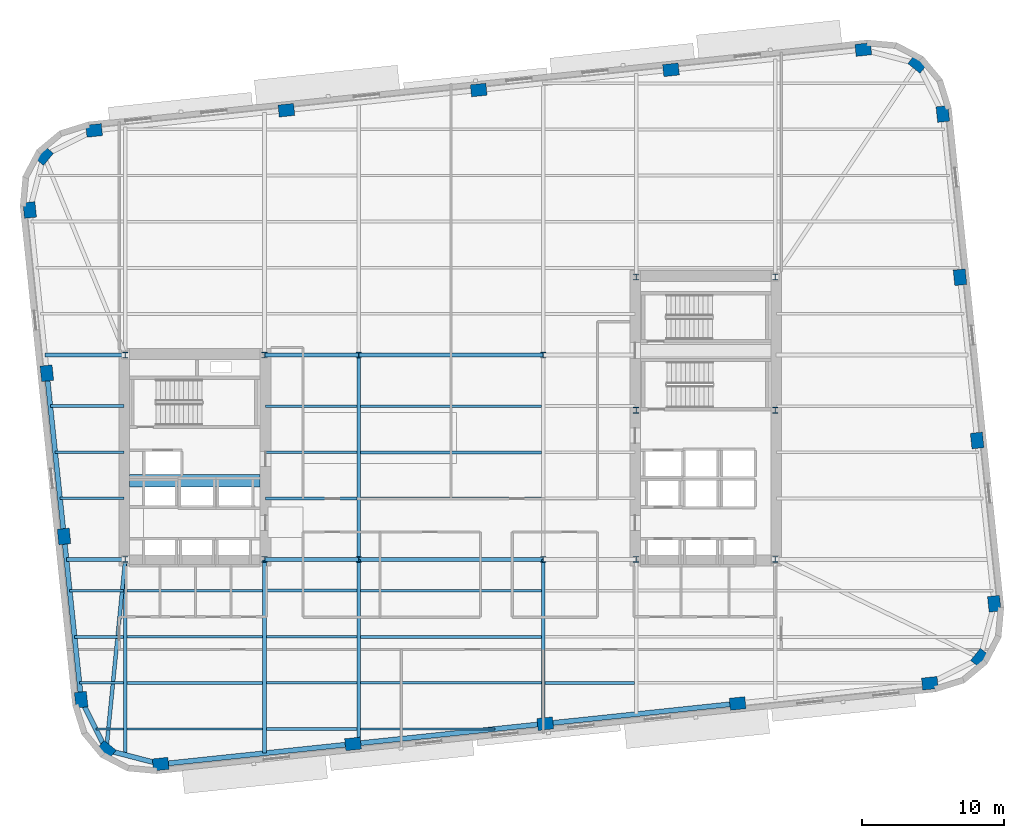
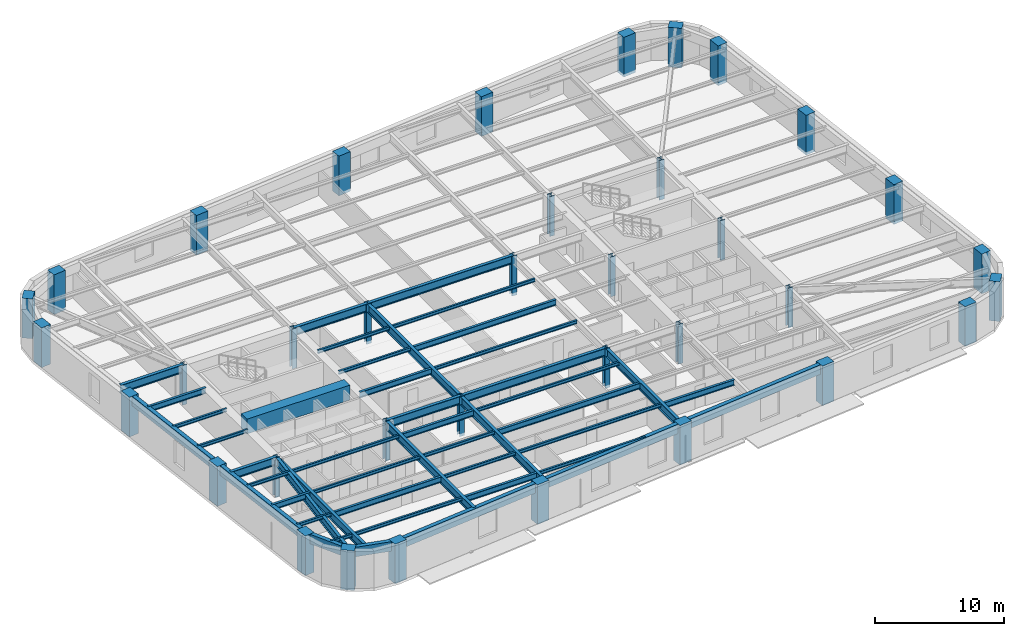
# One storey, part 1 of 12: 46 beams, 36 columns.
"""IFC4 building model written with IfcOpenShell, lengths in metres."""

from ifc_helpers import new_model, si_unit, direction, frame, origin, origin_2d, place, context, subcontext, project, spatial, rectangle, hollow_rectangle, i_section, extrude, material, material_profile, profile_set, type_object, element, save


model = new_model("IFC4")

# Units and contexts
model_context = context("Model", 3, precision=1e-05, world=origin(), true_north=direction((0.0, 1.0)))
body_context = subcontext(model_context, "Body", "Model", "MODEL_VIEW")
ifc_project = project(units=[si_unit("LENGTHUNIT", "METRE"), si_unit("AREAUNIT", "SQUARE_METRE"), si_unit("VOLUMEUNIT", "CUBIC_METRE"), si_unit("PLANEANGLEUNIT", "RADIAN"), si_unit("MASSUNIT", "GRAM", prefix="KILO")], contexts=[model_context])

# Site, building, storey
site_placement = place(None, origin())
site = spatial("IfcSite", under=ifc_project, at=site_placement, CompositionType="ELEMENT")
building_placement = place(site_placement, origin())
building = spatial("IfcBuilding", under=site, at=building_placement, Name="Kolvaren Arena Tower", CompositionType="ELEMENT")
storey_placement = place(building_placement, frame((0.0, 0.0, 110.949951171875)))
storey = spatial("IfcBuildingStorey", under=building, at=storey_placement, Name="L25", CompositionType="ELEMENT", Elevation=110.949951171875)

# Columns
ifc_material_1 = material(Name="Precast concrete C70/85", Category="concrete")
ifc_material_profile_1 = material_profile(ifc_material_1, rectangle(XDim=1.10009765625, YDim=0.85009765625, at=origin_2d()), Name="RC-1100x850")
ifc_profile_set_1 = profile_set([ifc_material_profile_1], Name="Precast concrete C70/85")
column_type_1 = type_object("IfcColumnType", Name="EXCOL-Z2", PredefinedType="COLUMN", material=ifc_profile_set_1)
for number, where, z_axis, x_axis, name in (
    (1, (17.0458984375, 5.024658203125, -0.27001953125), (0.0, 0.0, 1.0), (0.994521895368, 0.104528463268, 0.0), "Exoskeleton Perimeter Column 01 (L25)"),
    (2, (30.59619140625, 6.44873046875, -0.27001953125), (0.0, 0.0, 1.0), (0.994521895368, 0.104528463268, 0.0), "Exoskeleton Perimeter Column 02 (L25)"),
    (3, (44.146728515625, 7.873046875, -0.27001953125), (0.0, 0.0, 1.0), (0.994521895368, 0.104528463268, 0.0), "Exoskeleton Perimeter Column 03 (L25)"),
    (4, (57.697021484375, 9.297119140625, -0.27001953125), (0.0, 0.0, 1.0), (0.994521895368, 0.104528463268, 0.0), "Exoskeleton Perimeter Column 04 (L25)"),
    (5, (71.247314453125, 10.721435546875, -0.27001953125), (0.0, 0.0, 1.0), (0.994521895368, 0.104528463268, 0.0), "Exoskeleton Perimeter Column 05 (L25)"),
    (6, (74.790283203125, 12.49267578125, -0.27001953125), (0.0, 0.0, 1.0), (0.62932039105, 0.777145961457, 0.0), "Exoskeleton Perimeter Column 06 (L25)"),
    (7, (75.786376953125, 16.326416015625, -0.27001953125), (0.0, 0.0, 1.0), (-0.104528463268, 0.994521895368, 0.0), "Exoskeleton Perimeter Column 07 (L25)"),
    (8, (74.577392578125, 27.829833984375, -0.27001953125), (0.0, 0.0, 1.0), (-0.104528463268, 0.994521895368, 0.0), "Exoskeleton Perimeter Column 08 (L25)"),
    (9, (73.368408203125, 39.3330078125, -0.27001953125), (0.0, 0.0, 1.0), (-0.104528463268, 0.994521895368, 0.0), "Exoskeleton Perimeter Column 09 (L25)"),
    (10, (72.1591796875, 50.83642578125, -0.27001953125), (0.0, 0.0, 1.0), (-0.104528463268, 0.994521895368, 0.0), "Exoskeleton Perimeter Column 10 (L25)"),
    (11, (70.387939453125, 54.37939453125, -0.27001953125), (0.0, 0.0, 1.0), (-0.777145961457, 0.62932039105, 0.0), "Exoskeleton Perimeter Column 11 (L25)"),
    (12, (66.55419921875, 55.37548828125, -0.27001953125), (0.0, 0.0, 1.0), (0.994521895368, 0.104528463268, 0.0), "Exoskeleton Perimeter Column 12 (L25)"),
    (13, (53.003662109375, 53.951171875, -0.27001953125), (0.0, 0.0, 1.0), (0.994521895368, 0.104528463268, 0.0), "Exoskeleton Perimeter Column 13 (L25)"),
    (14, (39.453369140625, 52.527099609375, -0.27001953125), (0.0, 0.0, 1.0), (0.994521895368, 0.104528463268, 0.0), "Exoskeleton Perimeter Column 14 (L25)"),
    (15, (25.903076171875, 51.102783203125, -0.27001953125), (0.0, 0.0, 1.0), (0.994521895368, 0.104528463268, 0.0), "Exoskeleton Perimeter Column 15 (L25)"),
    (16, (12.3525390625, 49.6787109375, -0.27001953125), (0.0, 0.0, 1.0), (0.994521895368, 0.104528463268, 0.0), "Exoskeleton Perimeter Column 16 (L25)"),
    (17, (8.8095703125, 47.9072265625, -0.27001953125), (0.0, 0.0, 1.0), (0.62932039105, 0.777145961457, 0.0), "Exoskeleton Perimeter Column 17 (L25)"),
    (18, (7.813720703125, 44.073486328125, -0.27001953125), (0.0, 0.0, 1.0), (-0.104528463268, 0.994521895368, 0.0), "Exoskeleton Perimeter Column 18 (L25)"),
    (19, (9.022705078125, 32.5703125, -0.27001953125), (0.0, 0.0, 1.0), (-0.104528463268, 0.994521895368, 0.0), "Exoskeleton Perimeter Column 19 (L25)"),
    (20, (10.231689453125, 21.06689453125, -0.27001953125), (0.0, 0.0, 1.0), (-0.104528463268, 0.994521895368, 0.0), "Exoskeleton Perimeter Column 20 (L25)"),
    (21, (11.44091796875, 9.5634765625, -0.27001953125), (0.0, 0.0, 1.0), (-0.104528463268, 0.994521895368, 0.0), "Exoskeleton Perimeter Column 21 (L25)"),
    (22, (13.212158203125, 6.0205078125, -0.27001953125), (0.0, 0.0, 1.0), (-0.777145961457, 0.62932039105, 0.0), "Exoskeleton Perimeter Column 22 (L25)"),
):
    element("IfcColumn", number, at=place(storey_placement, frame(where, z_axis=z_axis, x_axis=x_axis)), inside=storey, type_object=column_type_1, Name=name, PredefinedType="COLUMN", context=body_context, shape_type="SweptSolid", body=[
        extrude(rectangle(XDim=1.10009765625, YDim=0.85009765625, at=origin_2d()), origin(), (0.0, 0.0, 1.0), 3.75),
    ])
ifc_material_2 = material(Name="Steel ASTM A913 Grade 65", Category="steel")
ifc_material_profile_2 = material_profile(ifc_material_2, i_section(OverallWidth=0.416015625, OverallDepth=0.446044921875, WebThickness=0.0390625, FlangeThickness=0.062744140625, FilletRadius=0.02001953125, at=origin_2d()), Name="W360x509")
ifc_profile_set_2 = profile_set([ifc_material_profile_2], Name="Steel ASTM A913 Grade 65")
column_type_2 = type_object("IfcColumnType", Name="SCOL-Z2", PredefinedType="COLUMN", material=ifc_profile_set_2)
for number, where, z_axis, x_axis, name in (
    (23, (14.550048828125, 19.449951171875, -0.27001953125), (0.0, 0.0, 1.0), (1.0, 0.0, 0.0), "Core Boundary Column WC-SW (L25)"),
    (24, (24.35009765625, 19.449951171875, -0.27001953125), (0.0, 0.0, 1.0), (1.0, 0.0, 0.0), "Core Boundary Column WC-SE (L25)"),
    (25, (14.550048828125, 33.85009765625, -0.27001953125), (0.0, 0.0, 1.0), (1.0, 0.0, 0.0), "Core Boundary Column WC-NW (L25)"),
    (26, (24.35009765625, 33.85009765625, -0.27001953125), (0.0, 0.0, 1.0), (1.0, 0.0, 0.0), "Core Boundary Column WC-NE (L25)"),
    (27, (50.550048828125, 19.449951171875, -0.27001953125), (0.0, 0.0, 1.0), (1.0, 0.0, 0.0), "Core Boundary Column EC-SW (L25)"),
    (28, (60.35009765625, 19.449951171875, -0.27001953125), (0.0, 0.0, 1.0), (1.0, 0.0, 0.0), "Core Boundary Column EC-SE (L25)"),
    (29, (50.550048828125, 29.949951171875, -0.27001953125), (0.0, 0.0, 1.0), (1.0, 0.0, 0.0), "Core Boundary Column EC-MW (L25)"),
    (30, (60.35009765625, 29.949951171875, -0.27001953125), (0.0, 0.0, 1.0), (1.0, 0.0, 0.0), "Core Boundary Column EC-ME (L25)"),
    (31, (50.550048828125, 39.35009765625, -0.27001953125), (0.0, 0.0, 1.0), (1.0, 0.0, 0.0), "Core Boundary Column EC-NW (L25)"),
    (32, (60.35009765625, 39.35009765625, -0.27001953125), (0.0, 0.0, 1.0), (1.0, 0.0, 0.0), "Core Boundary Column EC-NE (L25)"),
    (33, (31.0, 19.449951171875, -0.27001953125), (0.0, 0.0, 1.0), (1.0, 0.0, 0.0), "Interior Gravity Column TC-SW (L25)"),
    (34, (44.0, 19.449951171875, -0.27001953125), (0.0, 0.0, 1.0), (1.0, 0.0, 0.0), "Interior Gravity Column TC-SE (L25)"),
    (35, (31.0, 33.85009765625, -0.27001953125), (0.0, 0.0, 1.0), (1.0, 0.0, 0.0), "Interior Gravity Column TC-NW (L25)"),
    (36, (44.0, 33.85009765625, -0.27001953125), (0.0, 0.0, 1.0), (1.0, 0.0, 0.0), "Interior Gravity Column TC-NE (L25)"),
):
    element("IfcColumn", number, at=place(storey_placement, frame(where, z_axis=z_axis, x_axis=x_axis)), inside=storey, type_object=column_type_2, Name=name, PredefinedType="COLUMN", context=body_context, shape_type="SweptSolid", body=[
        extrude(i_section(OverallWidth=0.416015625, OverallDepth=0.446044921875, WebThickness=0.0390625, FlangeThickness=0.062744140625, FilletRadius=0.02001953125, at=origin_2d()), origin(), (0.0, 0.0, 1.0), 3.75),
    ])

# Beams
ifc_material_3 = material(Name="Steel CSA G40.21 350W", Category="steel")
ifc_material_profile_3 = material_profile(ifc_material_3, i_section(OverallWidth=0.2119140625, OverallDepth=0.54296875, WebThickness=0.01318359375, FlangeThickness=0.0244140625, FilletRadius=0.013916015625, at=origin_2d()), Name="W530x150")
ifc_profile_set_3 = profile_set([ifc_material_profile_3], Name="Steel CSA G40.21 350W")
beam_type_1 = type_object("IfcBeamType", Name="BEAM-F1", PredefinedType="BEAM", material=ifc_profile_set_3)
beam_1_placement = place(storey_placement, frame((24.485107421875, 7.5, 3.20849609375), z_axis=(1.0, 0.0, 0.0), x_axis=(0.0, 1.0, 0.0)))
element("IfcBeam", 37, at=beam_1_placement, inside=storey, type_object=beam_type_1, Name="Composite Floor Beam (L25)", PredefinedType="BEAM", context=body_context, shape_type="SweptSolid", body=[
    extrude(i_section(OverallWidth=0.2119140625, OverallDepth=0.54296875, WebThickness=0.01318359375, FlangeThickness=0.0244140625, FilletRadius=0.013916015625, at=origin_2d()), origin(), (0.0, 0.0, 1.0), 6.3798828125),
])
beam_2_placement = place(storey_placement, frame((14.68505859375, 10.75, 3.20849609375), z_axis=(1.0, 0.0, 0.0), x_axis=(0.0, 1.0, 0.0)))
element("IfcBeam", 38, at=beam_2_placement, inside=storey, type_object=beam_type_1, Name="Composite Floor Beam (L25)", PredefinedType="BEAM", context=body_context, shape_type="SweptSolid", body=[
    extrude(i_section(OverallWidth=0.2119140625, OverallDepth=0.54296875, WebThickness=0.01318359375, FlangeThickness=0.0244140625, FilletRadius=0.013916015625, at=origin_2d()), origin(), (0.0, 0.0, 1.0), 9.530029296875),
])
beam_3_placement = place(storey_placement, frame((44.135009765625, 10.75, 3.20849609375), z_axis=(1.0, 0.0, 0.0), x_axis=(0.0, 1.0, 0.0)))
element("IfcBeam", 39, at=beam_3_placement, inside=storey, type_object=beam_type_1, Name="Composite Floor Beam (L25)", PredefinedType="BEAM", context=body_context, shape_type="SweptSolid", body=[
    extrude(i_section(OverallWidth=0.2119140625, OverallDepth=0.54296875, WebThickness=0.01318359375, FlangeThickness=0.0244140625, FilletRadius=0.013916015625, at=origin_2d()), origin(), (0.0, 0.0, 1.0), 6.280029296875),
])
beam_4_placement = place(storey_placement, frame((10.974609375, 14.0, 3.20849609375), z_axis=(1.0, 0.0, 0.0), x_axis=(0.0, 1.0, 0.0)))
element("IfcBeam", 40, at=beam_4_placement, inside=storey, type_object=beam_type_1, Name="Composite Floor Beam (L25)", PredefinedType="BEAM", context=body_context, shape_type="SweptSolid", body=[
    extrude(i_section(OverallWidth=0.2119140625, OverallDepth=0.54296875, WebThickness=0.01318359375, FlangeThickness=0.0244140625, FilletRadius=0.013916015625, at=origin_2d()), origin(), (0.0, 0.0, 1.0), 3.4404296875),
])
beam_5_placement = place(storey_placement, frame((31.135009765625, 14.0, 3.20849609375), z_axis=(1.0, 0.0, 0.0), x_axis=(0.0, 1.0, 0.0)))
element("IfcBeam", 41, at=beam_5_placement, inside=storey, type_object=beam_type_1, Name="Composite Floor Beam (L25)", PredefinedType="BEAM", context=body_context, shape_type="SweptSolid", body=[
    extrude(i_section(OverallWidth=0.2119140625, OverallDepth=0.54296875, WebThickness=0.01318359375, FlangeThickness=0.0244140625, FilletRadius=0.013916015625, at=origin_2d()), origin(), (0.0, 0.0, 1.0), 12.72998046875),
])
beam_6_placement = place(storey_placement, frame((24.485107421875, 17.25, 3.20849609375), z_axis=(1.0, 0.0, 0.0), x_axis=(0.0, 1.0, 0.0)))
element("IfcBeam", 42, at=beam_6_placement, inside=storey, type_object=beam_type_1, Name="Composite Floor Beam (L25)", PredefinedType="BEAM", context=body_context, shape_type="SweptSolid", body=[
    extrude(i_section(OverallWidth=0.2119140625, OverallDepth=0.54296875, WebThickness=0.01318359375, FlangeThickness=0.0244140625, FilletRadius=0.013916015625, at=origin_2d()), origin(), (0.0, 0.0, 1.0), 6.3798828125),
])
beam_7_placement = place(storey_placement, frame((24.445068359375, 23.75, 3.20849609375), z_axis=(1.0, 0.0, 0.0), x_axis=(0.0, 1.0, 0.0)))
element("IfcBeam", 43, at=beam_7_placement, inside=storey, type_object=beam_type_1, Name="Composite Floor Beam (L25)", PredefinedType="BEAM", context=body_context, shape_type="SweptSolid", body=[
    extrude(i_section(OverallWidth=0.2119140625, OverallDepth=0.54296875, WebThickness=0.01318359375, FlangeThickness=0.0244140625, FilletRadius=0.013916015625, at=origin_2d()), origin(), (0.0, 0.0, 1.0), 6.419921875),
])
beam_8_placement = place(storey_placement, frame((31.135009765625, 27.0, 3.20849609375), z_axis=(1.0, 0.0, 0.0), x_axis=(0.0, 1.0, 0.0)))
element("IfcBeam", 44, at=beam_8_placement, inside=storey, type_object=beam_type_1, Name="Composite Floor Beam (L25)", PredefinedType="BEAM", context=body_context, shape_type="SweptSolid", body=[
    extrude(i_section(OverallWidth=0.2119140625, OverallDepth=0.54296875, WebThickness=0.01318359375, FlangeThickness=0.0244140625, FilletRadius=0.013916015625, at=origin_2d()), origin(), (0.0, 0.0, 1.0), 12.72998046875),
])
beam_9_placement = place(storey_placement, frame((9.2666015625, 30.25, 3.20849609375), z_axis=(1.0, 0.0, 0.0), x_axis=(0.0, 1.0, 0.0)))
element("IfcBeam", 45, at=beam_9_placement, inside=storey, type_object=beam_type_1, Name="Composite Floor Beam (L25)", PredefinedType="BEAM", context=body_context, shape_type="SweptSolid", body=[
    extrude(i_section(OverallWidth=0.2119140625, OverallDepth=0.54296875, WebThickness=0.01318359375, FlangeThickness=0.0244140625, FilletRadius=0.013916015625, at=origin_2d()), origin(), (0.0, 0.0, 1.0), 5.1884765625),
])
ifc_material_4 = material(Name="Concrete 75 MPa", Category="concrete")
ifc_material_profile_4 = material_profile(ifc_material_4, rectangle(XDim=0.89990234375, YDim=1.39990234375, at=origin_2d()), Name="RC-900x1400")
ifc_profile_set_4 = profile_set([ifc_material_profile_4], Name="Concrete 75 MPa")
beam_type_2 = type_object("IfcBeamType", Name="CB-CORE-1", PredefinedType="BEAM", material=ifc_profile_set_4)
beam_10_placement = place(storey_placement, frame((14.85009765625, 25.0, 3.050048828125), z_axis=(1.0, 0.0, 0.0), x_axis=(0.0, 1.0, 0.0)))
element("IfcBeam", 46, at=beam_10_placement, inside=storey, type_object=beam_type_2, Name="West Core Coupling Beam (L25)", PredefinedType="BEAM", context=body_context, shape_type="SweptSolid", body=[
    extrude(rectangle(XDim=0.89990234375, YDim=1.39990234375, at=origin_2d()), origin(), (0.0, 0.0, 1.0), 9.199951171875),
])
ifc_material_profile_5 = material_profile(ifc_material_3, i_section(OverallWidth=0.27001953125, OverallDepth=0.77294921875, WebThickness=0.019287109375, FlangeThickness=0.033447265625, FilletRadius=0.01806640625, at=origin_2d()), Name="W760x257")
ifc_profile_set_5 = profile_set([ifc_material_profile_5], Name="Steel CSA G40.21 350W")
beam_type_3 = type_object("IfcBeamType", Name="GIRD-T1", PredefinedType="BEAM", material=ifc_profile_set_5)
beam_11_placement = place(storey_placement, frame((13.212158203125, 6.0205078125, 3.093505859375), z_axis=(0.099132957575, 0.995074196592, 0.0), x_axis=(-0.995074196592, 0.099132957575, 0.0)))
element("IfcBeam", 47, at=beam_11_placement, inside=storey, type_object=beam_type_3, Name="Corner Diagonal Tie Girder (L25)", PredefinedType="BEAM", context=body_context, shape_type="SweptSolid", body=[
    extrude(i_section(OverallWidth=0.27001953125, OverallDepth=0.77294921875, WebThickness=0.019287109375, FlangeThickness=0.033447265625, FilletRadius=0.01806640625, at=origin_2d()), origin(), (0.0, 0.0, 1.0), 13.495849609375),
])
beam_12_placement = place(storey_placement, frame((10.401611328125, 19.449951171875, 3.093505859375), z_axis=(1.0, 0.0, 0.0), x_axis=(0.0, 1.0, 0.0)))
element("IfcBeam", 48, at=beam_12_placement, inside=storey, type_object=beam_type_3, Name="Primary Floor Girder (L25)", PredefinedType="BEAM", context=body_context, shape_type="SweptSolid", body=[
    extrude(i_section(OverallWidth=0.27001953125, OverallDepth=0.77294921875, WebThickness=0.019287109375, FlangeThickness=0.033447265625, FilletRadius=0.01806640625, at=origin_2d()), origin(), (0.0, 0.0, 1.0), 4.093505859375),
])
beam_13_placement = place(storey_placement, frame((24.405029296875, 19.449951171875, 3.093505859375), z_axis=(1.0, 0.0, 0.0), x_axis=(0.0, 1.0, 0.0)))
element("IfcBeam", 49, at=beam_13_placement, inside=storey, type_object=beam_type_3, Name="Primary Floor Girder (L25)", PredefinedType="BEAM", context=body_context, shape_type="SweptSolid", body=[
    extrude(i_section(OverallWidth=0.27001953125, OverallDepth=0.77294921875, WebThickness=0.019287109375, FlangeThickness=0.033447265625, FilletRadius=0.01806640625, at=origin_2d()), origin(), (0.0, 0.0, 1.0), 6.594970703125),
])
beam_14_placement = place(storey_placement, frame((31.0, 19.449951171875, 3.093505859375), z_axis=(1.0, 0.0, 0.0), x_axis=(0.0, 1.0, 0.0)))
element("IfcBeam", 50, at=beam_14_placement, inside=storey, type_object=beam_type_3, Name="Primary Floor Girder (L25)", PredefinedType="BEAM", context=body_context, shape_type="SweptSolid", body=[
    extrude(i_section(OverallWidth=0.27001953125, OverallDepth=0.77294921875, WebThickness=0.019287109375, FlangeThickness=0.033447265625, FilletRadius=0.01806640625, at=origin_2d()), origin(), (0.0, 0.0, 1.0), 13.0),
])
beam_15_placement = place(storey_placement, frame((8.88818359375, 33.85009765625, 3.093505859375), z_axis=(1.0, 0.0, 0.0), x_axis=(0.0, 1.0, 0.0)))
element("IfcBeam", 51, at=beam_15_placement, inside=storey, type_object=beam_type_3, Name="Primary Floor Girder (L25)", PredefinedType="BEAM", context=body_context, shape_type="SweptSolid", body=[
    extrude(i_section(OverallWidth=0.27001953125, OverallDepth=0.77294921875, WebThickness=0.019287109375, FlangeThickness=0.033447265625, FilletRadius=0.01806640625, at=origin_2d()), origin(), (0.0, 0.0, 1.0), 5.60693359375),
])
beam_16_placement = place(storey_placement, frame((24.405029296875, 33.85009765625, 3.093505859375), z_axis=(1.0, 0.0, 0.0), x_axis=(0.0, 1.0, 0.0)))
element("IfcBeam", 52, at=beam_16_placement, inside=storey, type_object=beam_type_3, Name="Primary Floor Girder (L25)", PredefinedType="BEAM", context=body_context, shape_type="SweptSolid", body=[
    extrude(i_section(OverallWidth=0.27001953125, OverallDepth=0.77294921875, WebThickness=0.019287109375, FlangeThickness=0.033447265625, FilletRadius=0.01806640625, at=origin_2d()), origin(), (0.0, 0.0, 1.0), 6.594970703125),
])
beam_17_placement = place(storey_placement, frame((31.0, 33.85009765625, 3.093505859375), z_axis=(1.0, 0.0, 0.0), x_axis=(0.0, 1.0, 0.0)))
element("IfcBeam", 53, at=beam_17_placement, inside=storey, type_object=beam_type_3, Name="Primary Floor Girder (L25)", PredefinedType="BEAM", context=body_context, shape_type="SweptSolid", body=[
    extrude(i_section(OverallWidth=0.27001953125, OverallDepth=0.77294921875, WebThickness=0.019287109375, FlangeThickness=0.033447265625, FilletRadius=0.01806640625, at=origin_2d()), origin(), (0.0, 0.0, 1.0), 13.0),
])
beam_18_placement = place(storey_placement, frame((14.550048828125, 5.673095703125, 3.093505859375), z_axis=(0.0, 1.0, 0.0), x_axis=(-1.0, 0.0, 0.0)))
element("IfcBeam", 54, at=beam_18_placement, inside=storey, type_object=beam_type_3, Name="Primary Floor Girder (L25)", PredefinedType="BEAM", context=body_context, shape_type="SweptSolid", body=[
    extrude(i_section(OverallWidth=0.27001953125, OverallDepth=0.77294921875, WebThickness=0.019287109375, FlangeThickness=0.033447265625, FilletRadius=0.01806640625, at=origin_2d()), origin(), (0.0, 0.0, 1.0), 13.721923828125),
])
beam_19_placement = place(storey_placement, frame((24.35009765625, 5.792236328125, 3.093505859375), z_axis=(0.0, 1.0, 0.0), x_axis=(-1.0, 0.0, 0.0)))
element("IfcBeam", 55, at=beam_19_placement, inside=storey, type_object=beam_type_3, Name="Primary Floor Girder (L25)", PredefinedType="BEAM", context=body_context, shape_type="SweptSolid", body=[
    extrude(i_section(OverallWidth=0.27001953125, OverallDepth=0.77294921875, WebThickness=0.019287109375, FlangeThickness=0.033447265625, FilletRadius=0.01806640625, at=origin_2d()), origin(), (0.0, 0.0, 1.0), 13.602783203125),
])
beam_20_placement = place(storey_placement, frame((31.0, 6.4912109375, 3.093505859375), z_axis=(0.0, 1.0, 0.0), x_axis=(-1.0, 0.0, 0.0)))
element("IfcBeam", 56, at=beam_20_placement, inside=storey, type_object=beam_type_3, Name="Primary Floor Girder (L25)", PredefinedType="BEAM", context=body_context, shape_type="SweptSolid", body=[
    extrude(i_section(OverallWidth=0.27001953125, OverallDepth=0.77294921875, WebThickness=0.019287109375, FlangeThickness=0.033447265625, FilletRadius=0.01806640625, at=origin_2d()), origin(), (0.0, 0.0, 1.0), 12.958740234375),
])
beam_21_placement = place(storey_placement, frame((31.0, 19.449951171875, 3.093505859375), z_axis=(0.0, 1.0, 0.0), x_axis=(-1.0, 0.0, 0.0)))
element("IfcBeam", 57, at=beam_21_placement, inside=storey, type_object=beam_type_3, Name="Primary Floor Girder (L25)", PredefinedType="BEAM", context=body_context, shape_type="SweptSolid", body=[
    extrude(i_section(OverallWidth=0.27001953125, OverallDepth=0.77294921875, WebThickness=0.019287109375, FlangeThickness=0.033447265625, FilletRadius=0.01806640625, at=origin_2d()), origin(), (0.0, 0.0, 1.0), 14.400146484375),
])
beam_22_placement = place(storey_placement, frame((44.0, 7.857666015625, 3.093505859375), z_axis=(0.0, 1.0, 0.0), x_axis=(-1.0, 0.0, 0.0)))
element("IfcBeam", 58, at=beam_22_placement, inside=storey, type_object=beam_type_3, Name="Primary Floor Girder (L25)", PredefinedType="BEAM", context=body_context, shape_type="SweptSolid", body=[
    extrude(i_section(OverallWidth=0.27001953125, OverallDepth=0.77294921875, WebThickness=0.019287109375, FlangeThickness=0.033447265625, FilletRadius=0.01806640625, at=origin_2d()), origin(), (0.0, 0.0, 1.0), 11.59228515625),
])
ifc_material_profile_6 = material_profile(ifc_material_3, i_section(OverallWidth=0.1669921875, OverallDepth=0.31689453125, WebThickness=0.007568359375, FlangeThickness=0.01318359375, FilletRadius=0.010009765625, at=origin_2d()), Name="W310x52")
ifc_profile_set_6 = profile_set([ifc_material_profile_6], Name="Steel CSA G40.21 350W")
beam_type_4 = type_object("IfcBeamType", Name="JOIST-02", PredefinedType="JOIST", material=ifc_profile_set_6)
beam_23_placement = place(storey_placement, frame((12.472412109375, 7.5, 3.321533203125), z_axis=(1.0, 0.0, 0.0), x_axis=(0.0, 1.0, 0.0)))
element("IfcBeam", 59, at=beam_23_placement, inside=storey, type_object=beam_type_4, Name="Composite Floor Joist (L25)", PredefinedType="JOIST", context=body_context, shape_type="SweptSolid", body=[
    extrude(i_section(OverallWidth=0.1669921875, OverallDepth=0.31689453125, WebThickness=0.007568359375, FlangeThickness=0.01318359375, FilletRadius=0.010009765625, at=origin_2d()), origin(), (0.0, 0.0, 1.0), 1.942626953125),
])
beam_24_placement = place(storey_placement, frame((14.68505859375, 7.5, 3.321533203125), z_axis=(1.0, 0.0, 0.0), x_axis=(0.0, 1.0, 0.0)))
element("IfcBeam", 60, at=beam_24_placement, inside=storey, type_object=beam_type_4, Name="Composite Floor Joist (L25)", PredefinedType="JOIST", context=body_context, shape_type="SweptSolid", body=[
    extrude(i_section(OverallWidth=0.1669921875, OverallDepth=0.31689453125, WebThickness=0.007568359375, FlangeThickness=0.01318359375, FilletRadius=0.010009765625, at=origin_2d()), origin(), (0.0, 0.0, 1.0), 9.530029296875),
])
beam_25_placement = place(storey_placement, frame((31.135009765625, 7.5, 3.321533203125), z_axis=(1.0, 0.0, 0.0), x_axis=(0.0, 1.0, 0.0)))
element("IfcBeam", 61, at=beam_25_placement, inside=storey, type_object=beam_type_4, Name="Composite Floor Joist (L25)", PredefinedType="JOIST", context=body_context, shape_type="SweptSolid", body=[
    extrude(i_section(OverallWidth=0.1669921875, OverallDepth=0.31689453125, WebThickness=0.007568359375, FlangeThickness=0.01318359375, FilletRadius=0.010009765625, at=origin_2d()), origin(), (0.0, 0.0, 1.0), 9.462890625),
])
beam_26_placement = place(storey_placement, frame((11.316162109375, 10.75, 3.321533203125), z_axis=(1.0, 0.0, 0.0), x_axis=(0.0, 1.0, 0.0)))
element("IfcBeam", 62, at=beam_26_placement, inside=storey, type_object=beam_type_4, Name="Composite Floor Joist (L25)", PredefinedType="JOIST", context=body_context, shape_type="SweptSolid", body=[
    extrude(i_section(OverallWidth=0.1669921875, OverallDepth=0.31689453125, WebThickness=0.007568359375, FlangeThickness=0.01318359375, FilletRadius=0.010009765625, at=origin_2d()), origin(), (0.0, 0.0, 1.0), 3.098876953125),
])
beam_27_placement = place(storey_placement, frame((24.485107421875, 10.75, 3.321533203125), z_axis=(1.0, 0.0, 0.0), x_axis=(0.0, 1.0, 0.0)))
element("IfcBeam", 63, at=beam_27_placement, inside=storey, type_object=beam_type_4, Name="Composite Floor Joist (L25)", PredefinedType="JOIST", context=body_context, shape_type="SweptSolid", body=[
    extrude(i_section(OverallWidth=0.1669921875, OverallDepth=0.31689453125, WebThickness=0.007568359375, FlangeThickness=0.01318359375, FilletRadius=0.010009765625, at=origin_2d()), origin(), (0.0, 0.0, 1.0), 6.3798828125),
])
beam_28_placement = place(storey_placement, frame((31.135009765625, 10.75, 3.321533203125), z_axis=(1.0, 0.0, 0.0), x_axis=(0.0, 1.0, 0.0)))
element("IfcBeam", 64, at=beam_28_placement, inside=storey, type_object=beam_type_4, Name="Composite Floor Joist (L25)", PredefinedType="JOIST", context=body_context, shape_type="SweptSolid", body=[
    extrude(i_section(OverallWidth=0.1669921875, OverallDepth=0.31689453125, WebThickness=0.007568359375, FlangeThickness=0.01318359375, FilletRadius=0.010009765625, at=origin_2d()), origin(), (0.0, 0.0, 1.0), 12.72998046875),
])
beam_29_placement = place(storey_placement, frame((14.68505859375, 14.0, 3.321533203125), z_axis=(1.0, 0.0, 0.0), x_axis=(0.0, 1.0, 0.0)))
element("IfcBeam", 65, at=beam_29_placement, inside=storey, type_object=beam_type_4, Name="Composite Floor Joist (L25)", PredefinedType="JOIST", context=body_context, shape_type="SweptSolid", body=[
    extrude(i_section(OverallWidth=0.1669921875, OverallDepth=0.31689453125, WebThickness=0.007568359375, FlangeThickness=0.01318359375, FilletRadius=0.010009765625, at=origin_2d()), origin(), (0.0, 0.0, 1.0), 9.530029296875),
])
beam_30_placement = place(storey_placement, frame((24.485107421875, 14.0, 3.321533203125), z_axis=(1.0, 0.0, 0.0), x_axis=(0.0, 1.0, 0.0)))
element("IfcBeam", 66, at=beam_30_placement, inside=storey, type_object=beam_type_4, Name="Composite Floor Joist (L25)", PredefinedType="JOIST", context=body_context, shape_type="SweptSolid", body=[
    extrude(i_section(OverallWidth=0.1669921875, OverallDepth=0.31689453125, WebThickness=0.007568359375, FlangeThickness=0.01318359375, FilletRadius=0.010009765625, at=origin_2d()), origin(), (0.0, 0.0, 1.0), 6.3798828125),
])
beam_31_placement = place(storey_placement, frame((10.6328125, 17.25, 3.321533203125), z_axis=(1.0, 0.0, 0.0), x_axis=(0.0, 1.0, 0.0)))
element("IfcBeam", 67, at=beam_31_placement, inside=storey, type_object=beam_type_4, Name="Composite Floor Joist (L25)", PredefinedType="JOIST", context=body_context, shape_type="SweptSolid", body=[
    extrude(i_section(OverallWidth=0.1669921875, OverallDepth=0.31689453125, WebThickness=0.007568359375, FlangeThickness=0.01318359375, FilletRadius=0.010009765625, at=origin_2d()), origin(), (0.0, 0.0, 1.0), 3.7822265625),
])
beam_32_placement = place(storey_placement, frame((14.68505859375, 17.25, 3.321533203125), z_axis=(1.0, 0.0, 0.0), x_axis=(0.0, 1.0, 0.0)))
element("IfcBeam", 68, at=beam_32_placement, inside=storey, type_object=beam_type_4, Name="Composite Floor Joist (L25)", PredefinedType="JOIST", context=body_context, shape_type="SweptSolid", body=[
    extrude(i_section(OverallWidth=0.1669921875, OverallDepth=0.31689453125, WebThickness=0.007568359375, FlangeThickness=0.01318359375, FilletRadius=0.010009765625, at=origin_2d()), origin(), (0.0, 0.0, 1.0), 9.530029296875),
])
beam_33_placement = place(storey_placement, frame((31.135009765625, 17.25, 3.321533203125), z_axis=(1.0, 0.0, 0.0), x_axis=(0.0, 1.0, 0.0)))
element("IfcBeam", 69, at=beam_33_placement, inside=storey, type_object=beam_type_4, Name="Composite Floor Joist (L25)", PredefinedType="JOIST", context=body_context, shape_type="SweptSolid", body=[
    extrude(i_section(OverallWidth=0.1669921875, OverallDepth=0.31689453125, WebThickness=0.007568359375, FlangeThickness=0.01318359375, FilletRadius=0.010009765625, at=origin_2d()), origin(), (0.0, 0.0, 1.0), 12.72998046875),
])
beam_34_placement = place(storey_placement, frame((9.94970703125, 23.75, 3.321533203125), z_axis=(1.0, 0.0, 0.0), x_axis=(0.0, 1.0, 0.0)))
element("IfcBeam", 70, at=beam_34_placement, inside=storey, type_object=beam_type_4, Name="Composite Floor Joist (L25)", PredefinedType="JOIST", context=body_context, shape_type="SweptSolid", body=[
    extrude(i_section(OverallWidth=0.1669921875, OverallDepth=0.31689453125, WebThickness=0.007568359375, FlangeThickness=0.01318359375, FilletRadius=0.010009765625, at=origin_2d()), origin(), (0.0, 0.0, 1.0), 4.50537109375),
])
beam_35_placement = place(storey_placement, frame((31.135009765625, 23.75, 3.321533203125), z_axis=(1.0, 0.0, 0.0), x_axis=(0.0, 1.0, 0.0)))
element("IfcBeam", 71, at=beam_35_placement, inside=storey, type_object=beam_type_4, Name="Composite Floor Joist (L25)", PredefinedType="JOIST", context=body_context, shape_type="SweptSolid", body=[
    extrude(i_section(OverallWidth=0.1669921875, OverallDepth=0.31689453125, WebThickness=0.007568359375, FlangeThickness=0.01318359375, FilletRadius=0.010009765625, at=origin_2d()), origin(), (0.0, 0.0, 1.0), 12.72998046875),
])
beam_36_placement = place(storey_placement, frame((9.608154296875, 27.0, 3.321533203125), z_axis=(1.0, 0.0, 0.0), x_axis=(0.0, 1.0, 0.0)))
element("IfcBeam", 72, at=beam_36_placement, inside=storey, type_object=beam_type_4, Name="Composite Floor Joist (L25)", PredefinedType="JOIST", context=body_context, shape_type="SweptSolid", body=[
    extrude(i_section(OverallWidth=0.1669921875, OverallDepth=0.31689453125, WebThickness=0.007568359375, FlangeThickness=0.01318359375, FilletRadius=0.010009765625, at=origin_2d()), origin(), (0.0, 0.0, 1.0), 4.846923828125),
])
for number, where, z_axis, x_axis, name in (
    (73, (24.445068359375, 27.0, 3.321533203125), (1.0, 0.0, 0.0), (0.0, 1.0, 0.0), "Composite Floor Joist (L25)"),
    (74, (24.445068359375, 30.25, 3.321533203125), (1.0, 0.0, 0.0), (0.0, 1.0, 0.0), "Composite Floor Joist (L25)"),
):
    element("IfcBeam", number, at=place(storey_placement, frame(where, z_axis=z_axis, x_axis=x_axis)), inside=storey, type_object=beam_type_4, Name=name, PredefinedType="JOIST", context=body_context, shape_type="SweptSolid", body=[
        extrude(i_section(OverallWidth=0.1669921875, OverallDepth=0.31689453125, WebThickness=0.007568359375, FlangeThickness=0.01318359375, FilletRadius=0.010009765625, at=origin_2d()), origin(), (0.0, 0.0, 1.0), 6.419921875),
    ])
beam_37_placement = place(storey_placement, frame((31.135009765625, 30.25, 3.321533203125), z_axis=(1.0, 0.0, 0.0), x_axis=(0.0, 1.0, 0.0)))
element("IfcBeam", 75, at=beam_37_placement, inside=storey, type_object=beam_type_4, Name="Composite Floor Joist (L25)", PredefinedType="JOIST", context=body_context, shape_type="SweptSolid", body=[
    extrude(i_section(OverallWidth=0.1669921875, OverallDepth=0.31689453125, WebThickness=0.007568359375, FlangeThickness=0.01318359375, FilletRadius=0.010009765625, at=origin_2d()), origin(), (0.0, 0.0, 1.0), 12.72998046875),
])
ifc_material_5 = material(Name="Steel CSA G40.21 350WT", Category="steel")
ifc_material_profile_7 = material_profile(ifc_material_5, hollow_rectangle(XDim=0.35009765625, YDim=0.89990234375, WallThickness=0.02001953125, at=origin_2d()), Name="HSS 900x350x20")
ifc_profile_set_7 = profile_set([ifc_material_profile_7], Name="Steel CSA G40.21 350WT")
beam_type_5 = type_object("IfcBeamType", Name="SPAND-01", PredefinedType="SPANDREL", material=ifc_profile_set_7)
beam_38_placement = place(storey_placement, frame((17.0458984375, 5.024658203125, 3.030029296875), z_axis=(0.994522817887, 0.104519685718, 0.0), x_axis=(-0.104519685718, 0.994522817887, 0.0)))
element("IfcBeam", 76, at=beam_38_placement, inside=storey, type_object=beam_type_5, Name="Perimeter Spandrel Beam (L25)", PredefinedType="SPANDREL", context=body_context, shape_type="SweptSolid", body=[
    extrude(hollow_rectangle(XDim=0.35009765625, YDim=0.89990234375, WallThickness=0.02001953125, at=origin_2d()), origin(), (0.0, 0.0, 1.0), 13.625),
])
beam_39_placement = place(storey_placement, frame((30.59619140625, 6.44873046875, 3.030029296875), z_axis=(0.994521150946, 0.104535545729, 0.0), x_axis=(-0.104535545729, 0.994521150946, 0.0)))
element("IfcBeam", 77, at=beam_39_placement, inside=storey, type_object=beam_type_5, Name="Perimeter Spandrel Beam (L25)", PredefinedType="SPANDREL", context=body_context, shape_type="SweptSolid", body=[
    extrude(hollow_rectangle(XDim=0.35009765625, YDim=0.89990234375, WallThickness=0.02001953125, at=origin_2d()), origin(), (0.0, 0.0, 1.0), 13.625244140625),
])
beam_40_placement = place(storey_placement, frame((44.146728515625, 7.873046875, 3.030029296875), z_axis=(0.994522817887, 0.104519685718, 0.0), x_axis=(-0.104519685718, 0.994522817887, 0.0)))
element("IfcBeam", 78, at=beam_40_placement, inside=storey, type_object=beam_type_5, Name="Perimeter Spandrel Beam (L25)", PredefinedType="SPANDREL", context=body_context, shape_type="SweptSolid", body=[
    extrude(hollow_rectangle(XDim=0.35009765625, YDim=0.89990234375, WallThickness=0.02001953125, at=origin_2d()), origin(), (0.0, 0.0, 1.0), 13.625),
])
for number, where, z_axis, x_axis, name in (
    (79, (9.022705078125, 32.5703125, 3.030029296875), (0.104522171998, -0.994522556587, 0.0), (0.994522556587, 0.104522171998, 0.0), "Perimeter Spandrel Beam (L25)"),
    (80, (10.231689453125, 21.06689453125, 3.030029296875), (0.104543048399, -0.994520362301, 0.0), (0.994520362301, 0.104543048399, 0.0), "Perimeter Spandrel Beam (L25)"),
):
    element("IfcBeam", number, at=place(storey_placement, frame(where, z_axis=z_axis, x_axis=x_axis)), inside=storey, type_object=beam_type_5, Name=name, PredefinedType="SPANDREL", context=body_context, shape_type="SweptSolid", body=[
        extrude(hollow_rectangle(XDim=0.35009765625, YDim=0.89990234375, WallThickness=0.02001953125, at=origin_2d()), origin(), (0.0, 0.0, 1.0), 11.56689453125),
    ])
for number, where, z_axis, x_axis, name in (
    (81, (11.44091796875, 9.5634765625, 3.030029296875), (0.44716428656, -0.894451843771, 0.0), (0.894451843771, 0.44716428656, 0.0), "Perimeter Spandrel Beam (L25)"),
    (82, (13.212158203125, 6.0205078125, 3.030029296875), (0.96787922294, -0.25141561169, 0.0), (0.25141561169, 0.96787922294, 0.0), "Perimeter Spandrel Beam (L25)"),
):
    element("IfcBeam", number, at=place(storey_placement, frame(where, z_axis=z_axis, x_axis=x_axis)), inside=storey, type_object=beam_type_5, Name=name, PredefinedType="SPANDREL", context=body_context, shape_type="SweptSolid", body=[
        extrude(hollow_rectangle(XDim=0.35009765625, YDim=0.89990234375, WallThickness=0.02001953125, at=origin_2d()), origin(), (0.0, 0.0, 1.0), 3.9609375),
    ])

save(model, "model.ifc")
